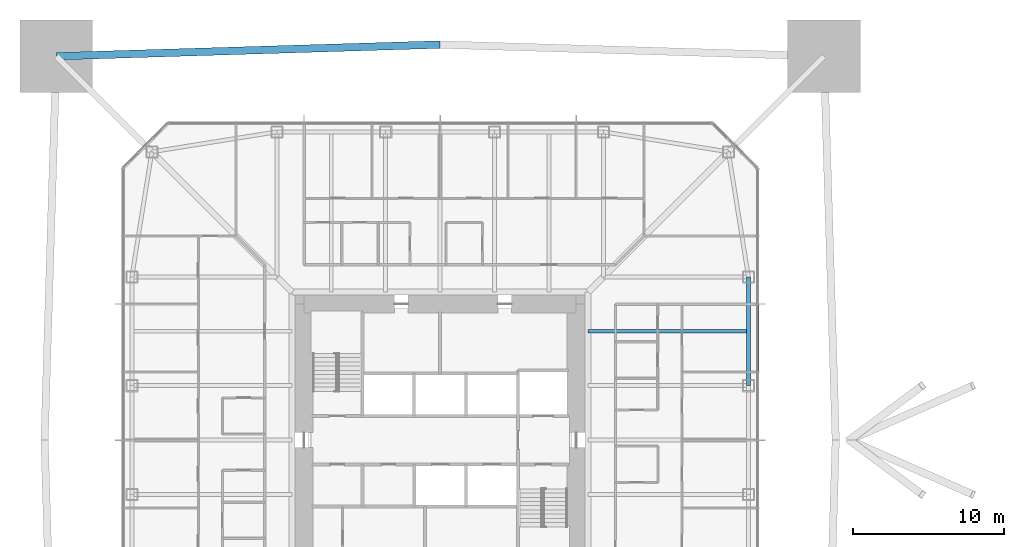
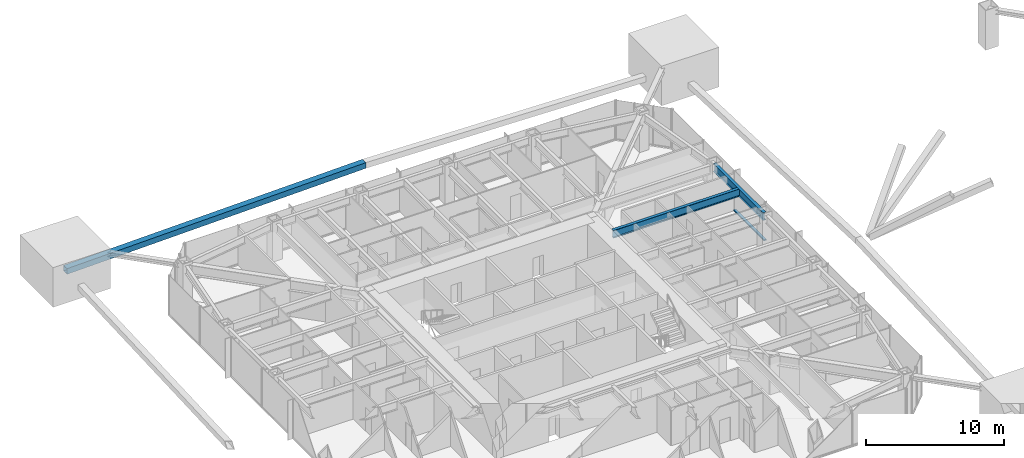
# One storey, part 8 of 27: 2 beams, 2 members, 1 element without a shape of its own.
"""IFC4 building model written with IfcOpenShell, lengths in metres."""

from ifc_helpers import new_model, si_unit, direction, frame, origin, origin_2d, place, context, subcontext, project, spatial, rectangle, hollow_rectangle, i_section, extrude, material, material_profile, profile_set, type_object, element, aggregate, save


model = new_model("IFC4")

# Units and contexts
model_context = context("Model", 3, precision=1e-05, world=origin(), true_north=direction((0.0, 1.0)))
body_context = subcontext(model_context, "Body", "Model", "MODEL_VIEW")
ifc_project = project(units=[si_unit("LENGTHUNIT", "METRE"), si_unit("AREAUNIT", "SQUARE_METRE"), si_unit("VOLUMEUNIT", "CUBIC_METRE"), si_unit("PLANEANGLEUNIT", "RADIAN"), si_unit("MASSUNIT", "GRAM", prefix="KILO")], contexts=[model_context])

# Site, building, storey
site_placement = place(None, origin())
site = spatial("IfcSite", under=ifc_project, at=site_placement, CompositionType="ELEMENT")
building_placement = place(site_placement, origin())
building = spatial("IfcBuilding", under=site, at=building_placement, Name="Iwan Alto Co-Living Towers", CompositionType="ELEMENT")
storey_placement = place(building_placement, frame((0.0, 0.0, 91.0)))
storey = spatial("IfcBuildingStorey", under=building, at=storey_placement, Name="L24", CompositionType="ELEMENT", Elevation=91.0)

# Curtain wall, member
ifc_material_1 = material(Name="Bronze aluminium unitised frame", Category="aluminium")
curtain_wall_type = type_object("IfcCurtainWallType", Name="CURTAIN WALL CW-A", PredefinedType="NOTDEFINED", material=ifc_material_1)
curtain_wall_placement = place(storey_placement, origin())
curtain_wall = element("IfcCurtainWall", 1, at=curtain_wall_placement, inside=storey, type_object=curtain_wall_type, Name="T1 curtain wall E L24", PredefinedType="NOTDEFINED")
ifc_material_2 = material(Name="Aluminium 6063-T6 bronze anodised", Category="aluminium")
ifc_material_profile_1 = material_profile(ifc_material_2, rectangle(XDim=0.199951171875, YDim=0.10009765625, at=origin_2d()), Name="AL 200X100")
ifc_profile_set_1 = profile_set([ifc_material_profile_1], Name="Aluminium 6063-T6 bronze anodised")
member_type_1 = type_object("IfcMemberType", Name="CW-A TRANSOM 200X100", PredefinedType="USERDEFINED", material=ifc_profile_set_1)
member_1_placement = place(storey_placement, frame((21.0, 4.5400390625, 0.050048828125), z_axis=(0.0, 1.0, 0.0), x_axis=(-1.0, 0.0, 0.0)))
member_1 = element("IfcMember", 2, at=member_1_placement, type_object=member_type_1, Name="CW-A transom 6.1", ObjectType="TRANSOM", PredefinedType="USERDEFINED", context=body_context, shape_type="SweptSolid", body=[
    extrude(rectangle(XDim=0.199951171875, YDim=0.10009765625, at=origin_2d()), origin(), (0.0, 0.0, 1.0), 4.419921875),
])
aggregate(curtain_wall, [member_1])

# Beam
ifc_material_3 = material(Name="Steel ASTM A992 Gr 50", Category="steel")
ifc_material_profile_2 = material_profile(ifc_material_3, i_section(OverallWidth=0.25390625, OverallDepth=0.683349609375, WebThickness=0.012451171875, FlangeThickness=0.018798828125, at=origin_2d()), Name="W27X94")
ifc_profile_set_2 = profile_set([ifc_material_profile_2], Name="Steel ASTM A992 Gr 50")
beam_type_1 = type_object("IfcBeamType", Name="T1 EDGE BEAM W27X94", PredefinedType="BEAM", material=ifc_profile_set_2)
beam_1_placement = place(storey_placement, frame((20.39990234375, 3.60009765625, 2.928466796875), z_axis=(0.0, 1.0, 0.0), x_axis=(-1.0, 0.0, 0.0)))
element("IfcBeam", 3, at=beam_1_placement, inside=storey, type_object=beam_type_1, Name="T1 edge beam E3 L25", PredefinedType="BEAM", context=body_context, shape_type="SweptSolid", body=[
    extrude(i_section(OverallWidth=0.25390625, OverallDepth=0.683349609375, WebThickness=0.012451171875, FlangeThickness=0.018798828125, at=origin_2d()), origin(), (0.0, 0.0, 1.0), 7.199951171875),
])

# Member
ifc_material_4 = material(Name="Steel ASTM A572 Gr 50", Category="steel")
ifc_material_profile_3 = material_profile(ifc_material_4, hollow_rectangle(XDim=0.5, YDim=0.5, WallThickness=0.031982421875, at=origin_2d()), Name="BOX 500X500X32")
ifc_profile_set_3 = profile_set([ifc_material_profile_3], Name="Steel ASTM A572 Gr 50")
member_type_2 = type_object("IfcMemberType", Name="T1 MEGA TIE BOX 500X500X32", PredefinedType="STRUT", material=ifc_profile_set_3)
member_2_placement = place(storey_placement, frame((0.0, 26.175537109375, 1.01904296875), z_axis=(-0.999534074116, -0.030522691262, 0.0), x_axis=(0.030522691262, -0.999534074116, 0.0)))
element("IfcMember", 4, at=member_2_placement, inside=storey, type_object=member_type_2, Name="T1 mega tie Z2A N 2", PredefinedType="STRUT", context=body_context, shape_type="SweptSolid", body=[
    extrude(hollow_rectangle(XDim=0.5, YDim=0.5, WallThickness=0.031982421875, at=origin_2d()), origin(), (0.0, 0.0, 1.0), 25.41162109375),
])

# Beam
ifc_material_5 = material(Name="Steel ASTM A992 Gr 50", Category="steel")
ifc_material_profile_4 = material_profile(ifc_material_5, i_section(OverallWidth=0.25390625, OverallDepth=0.683349609375, WebThickness=0.012451171875, FlangeThickness=0.018798828125, at=origin_2d()), Name="W27X94")
ifc_profile_set_4 = profile_set([ifc_material_profile_4], Name="Steel ASTM A992 Gr 50")
beam_type_2 = type_object("IfcBeamType", Name="T1 SECONDARY BEAM W27X94", PredefinedType="JOIST", material=ifc_profile_set_4)
beam_2_placement = place(storey_placement, frame((20.39990234375, 7.199951171875, 2.928466796875), z_axis=(-1.0, 0.0, 0.0), x_axis=(0.0, -1.0, 0.0)))
element("IfcBeam", 5, at=beam_2_placement, inside=storey, type_object=beam_type_2, Name="T1 secondary beam E3 L25", PredefinedType="JOIST", context=body_context, shape_type="SweptSolid", body=[
    extrude(i_section(OverallWidth=0.25390625, OverallDepth=0.683349609375, WebThickness=0.012451171875, FlangeThickness=0.018798828125, at=origin_2d()), origin(), (0.0, 0.0, 1.0), 10.6005859375),
])

save(model, "model.ifc")
